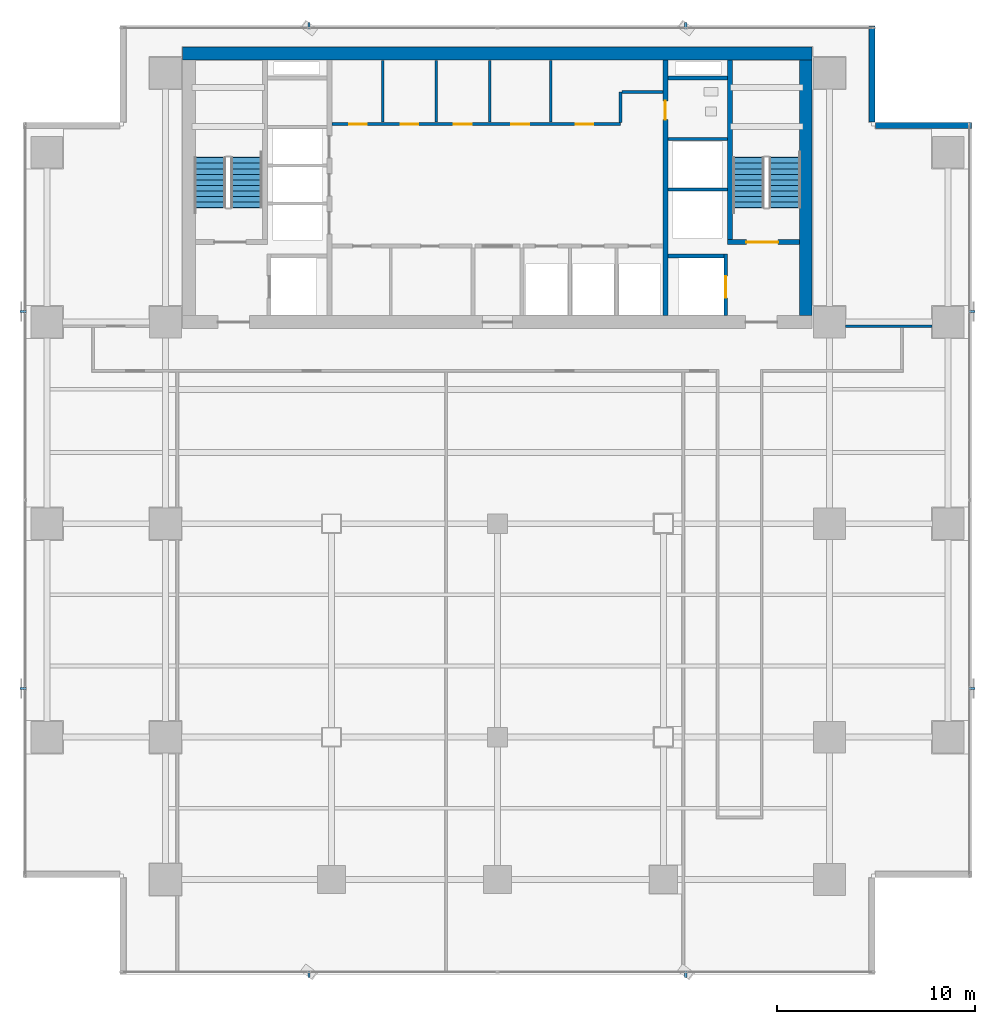
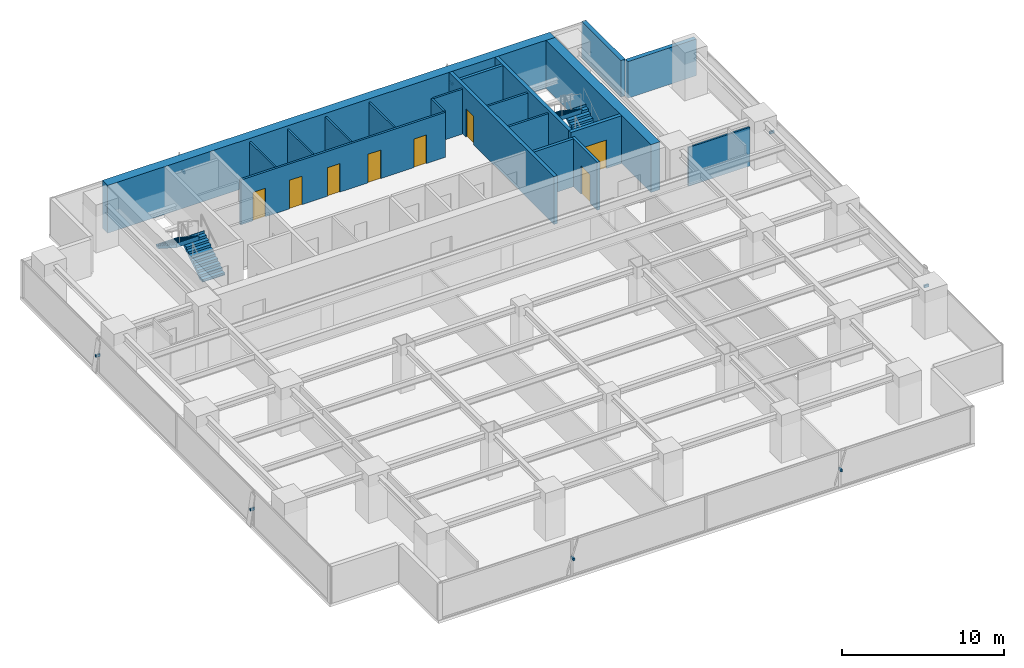
# One storey, part 22 of 27: 20 walls, 8 discrete accessories, 8 doors, 4 stair flights, 8 openings, 2 elements without a shape of their own.
"""IFC4 building model written with IfcOpenShell, lengths in metres."""

from ifc_helpers import new_model, si_unit, direction, frame, frame_2d, origin, origin_2d, place, context, subcontext, project, spatial, polyline, rectangle, outline, extrude, source, transform, mapped, material, layer, layer_set, material_profile, profile_set, type_object, element, fill, aggregate, save


model = new_model("IFC4")

# Units and contexts
model_context = context("Model", 3, precision=1e-05, world=origin(), true_north=direction((0.0, 1.0)))
body_context = subcontext(model_context, "Body", "Model", "MODEL_VIEW")
ifc_project = project(units=[si_unit("LENGTHUNIT", "METRE"), si_unit("AREAUNIT", "SQUARE_METRE"), si_unit("VOLUMEUNIT", "CUBIC_METRE"), si_unit("PLANEANGLEUNIT", "RADIAN"), si_unit("MASSUNIT", "GRAM", prefix="KILO")], contexts=[model_context])

# Site, building, storey
site_placement = place(None, origin())
site = spatial("IfcSite", under=ifc_project, at=site_placement, CompositionType="ELEMENT")
building_placement = place(site_placement, origin())
building = spatial("IfcBuilding", under=site, at=building_placement, Name="Sumidabori Civic Tower", CompositionType="ELEMENT")
storey_placement = place(building_placement, frame((0.0, 0.0, 138.800048828125)))
storey = spatial("IfcBuildingStorey", under=building, at=storey_placement, Name="L35", CompositionType="ELEMENT", Elevation=138.800048828125)

# Walls
ifc_material_1 = material(Name="Concrete C50/60", Category="concrete")
ifc_layer_1 = layer(ifc_material_1, 0.199951171875, Name="Concrete C50/60")
ifc_layer_set_1 = layer_set([ifc_layer_1], Name="Concrete C50/60")
wall_type_1 = type_object("IfcWallType", Name="WL-SHAFT-200", PredefinedType="SHEAR", material=ifc_layer_set_1)
shared_shape_1 = source(origin(), body_context, "Body", "SweptSolid", [
    extrude(rectangle(XDim=2.824951171875, YDim=0.199951171875, at=frame_2d((1.41259765625, 0.0))), origin(), (0.0, 0.0, 1.0), 3.599853515625),
])
wall_1_placement = place(storey_placement, frame((8.625, 13.550048828125, 0.0), z_axis=(0.0, 0.0, 1.0), x_axis=(1.0, 0.0, 0.0)))
element("IfcWall", 1, at=wall_1_placement, inside=storey, type_object=wall_type_1, Name="Core Shear Wall L35 EL2-N", PredefinedType="SHEAR", context=body_context, shape_type="MappedRepresentation", body=[
    mapped(shared_shape_1, transform((0.0, 0.0, 0.0), x_axis=(1.0, 0.0, 0.0), y_axis=(0.0, 1.0, 0.0), z_axis=(0.0, 0.0, 1.0), scale=1.0)),
])
shared_shape_2 = source(origin(), body_context, "Body", "SweptSolid", [
    extrude(rectangle(XDim=3.02001953125, YDim=0.199951171875, at=frame_2d((1.510009765625, 0.0))), origin(), (0.0, 0.0, 1.0), 3.599853515625),
])
wall_2_placement = place(storey_placement, frame((8.625, 22.550048828125, 0.0), z_axis=(0.0, 0.0, 1.0), x_axis=(1.0, 0.0, 0.0)))
element("IfcWall", 2, at=wall_2_placement, inside=storey, type_object=wall_type_1, Name="Core Shear Wall L35 RIS2-S", PredefinedType="SHEAR", context=body_context, shape_type="MappedRepresentation", body=[
    mapped(shared_shape_2, transform((0.0, 0.0, 0.0), x_axis=(1.0, 0.0, 0.0), y_axis=(0.0, 1.0, 0.0), z_axis=(0.0, 0.0, 1.0), scale=1.0)),
])
ifc_material_2 = material(Name="Concrete C60/75", Category="concrete")
ifc_layer_2 = layer(ifc_material_2, 0.64990234375, Name="Concrete C60/75")
ifc_layer_set_2 = layer_set([ifc_layer_2], Name="Concrete C60/75")
wall_type_2 = type_object("IfcWallType", Name="WL-CORE-650", PredefinedType="SHEAR", material=ifc_layer_set_2)
shared_shape_3 = source(origin(), body_context, "Body", "SweptSolid", [
    extrude(rectangle(XDim=31.85009765625, YDim=0.64990234375, at=frame_2d((15.925048828125, 0.0))), origin(), (0.0, 0.0, 1.0), 3.599853515625),
])
wall_3_placement = place(storey_placement, frame((-15.925048828125, 23.800048828125, 0.0), z_axis=(0.0, 0.0, 1.0), x_axis=(1.0, 0.0, 0.0)))
element("IfcWall", 3, at=wall_3_placement, inside=storey, type_object=wall_type_2, Name="Core Shear Wall L35 N", PredefinedType="SHEAR", context=body_context, shape_type="MappedRepresentation", body=[
    mapped(shared_shape_3, transform((0.0, 0.0, 0.0), x_axis=(1.0, 0.0, 0.0), y_axis=(0.0, 1.0, 0.0), z_axis=(0.0, 0.0, 1.0), scale=1.0)),
])
shared_shape_4 = source(origin(), body_context, "Body", "SweptSolid", [
    extrude(rectangle(XDim=12.9501953125, YDim=0.64990234375, at=frame_2d((6.47509765625, 0.0))), origin(), (0.0, 0.0, 1.0), 3.599853515625),
])
wall_4_placement = place(storey_placement, frame((15.60009765625, 10.52490234375, 0.0), z_axis=(0.0, 0.0, 1.0), x_axis=(0.0, 1.0, 0.0)))
element("IfcWall", 4, at=wall_4_placement, inside=storey, type_object=wall_type_2, Name="Core Shear Wall L35 E", PredefinedType="SHEAR", context=body_context, shape_type="MappedRepresentation", body=[
    mapped(shared_shape_4, transform((0.0, 0.0, 0.0), x_axis=(1.0, 0.0, 0.0), y_axis=(0.0, 1.0, 0.0), z_axis=(0.0, 0.0, 1.0), scale=1.0)),
])

# Wall, opening, door
ifc_layer_3 = layer(ifc_material_1, 0.25, Name="Concrete C50/60")
ifc_layer_set_3 = layer_set([ifc_layer_3], Name="Concrete C50/60")
wall_type_3 = type_object("IfcWallType", Name="WL-SHAFT-250", PredefinedType="SHEAR", material=ifc_layer_set_3)
shared_shape_5 = source(origin(), body_context, "Body", "SweptSolid", [
    extrude(rectangle(XDim=12.9501953125, YDim=0.25, at=frame_2d((6.47509765625, 0.0))), origin(), (0.0, 0.0, 1.0), 3.599853515625),
])
wall_5_placement = place(storey_placement, frame((8.5, 10.52490234375, 0.0), z_axis=(0.0, 0.0, 1.0), x_axis=(0.0, 1.0, 0.0)))
wall_5 = element("IfcWall", 5, at=wall_5_placement, inside=storey, type_object=wall_type_3, Name="Core Shear Wall L35 WEB-E", PredefinedType="SHEAR", context=body_context, shape_type="MappedRepresentation", body=[
    mapped(shared_shape_5, transform((0.0, 0.0, 0.0), x_axis=(1.0, 0.0, 0.0), y_axis=(0.0, 1.0, 0.0), z_axis=(0.0, 0.0, 1.0), scale=1.0)),
])
opening_1_placement = place(wall_5_placement, frame((9.925048828125, 0.0, 0.0)))
opening_1 = element("IfcOpeningElement", 6, at=opening_1_placement, cuts=wall_5, Name="Opening DR-2", PredefinedType="OPENING", context=body_context, shape_type="SweptSolid", body=[
    extrude(rectangle(XDim=0.949951171875, YDim=2.14990234375, at=frame_2d((0.47509765625, 1.074951171875))), frame((0.0, 0.136962890625, 0.0), z_axis=(0.0, -1.0, 0.0), x_axis=(1.0, 0.0, 0.0)), (0.0, 0.0, 1.0), 0.27392578125),
])
ifc_material_3 = material(Name="Japanese Hinoki Timber", Category="wood")
door_type_1 = type_object("IfcDoorType", Name="DR-INT-950", OperationType="NOTDEFINED", PredefinedType="DOOR", material=ifc_material_3)
shared_shape_6 = source(origin(), body_context, "Body", "SweptSolid", [
    extrude(rectangle(XDim=0.949951171875, YDim=2.14990234375, at=frame_2d((0.47509765625, 1.074951171875))), frame((0.0, 0.02490234375, 0.0), z_axis=(0.0, -1.0, 0.0), x_axis=(1.0, 0.0, 0.0)), (0.0, 0.0, 1.0), 0.050048828125),
])
door_1_placement = place(opening_1_placement, origin())
door_1 = element("IfcDoor", 7, at=door_1_placement, inside=storey, type_object=door_type_1, Name="Door DR:L35:WC-ACC", OperationType="SINGLE_SWING_RIGHT", OverallHeight=2.14990234375, OverallWidth=0.949951171875, PredefinedType="DOOR", context=body_context, shape_type="MappedRepresentation", body=[
    mapped(shared_shape_6, transform((0.0, 0.0, 0.0), x_axis=(1.0, 0.0, 0.0), y_axis=(0.0, 1.0, 0.0), z_axis=(0.0, 0.0, 1.0), scale=1.0)),
])
fill(opening_1, door_1)

shared_shape_7 = source(origin(), body_context, "Body", "SweptSolid", [
    extrude(rectangle(XDim=3.6298828125, YDim=0.25, at=frame_2d((1.81494140625, 0.0))), origin(), (0.0, 0.0, 1.0), 3.599853515625),
])
wall_6_placement = place(storey_placement, frame((11.64501953125, 14.25, 0.0), z_axis=(0.0, 0.0, 1.0), x_axis=(1.0, 0.0, 0.0)))
wall_6 = element("IfcWall", 8, at=wall_6_placement, inside=storey, type_object=wall_type_3, Name="Core Shear Wall L35 ST2-S", PredefinedType="SHEAR", context=body_context, shape_type="MappedRepresentation", body=[
    mapped(shared_shape_7, transform((0.0, 0.0, 0.0), x_axis=(1.0, 0.0, 0.0), y_axis=(0.0, 1.0, 0.0), z_axis=(0.0, 0.0, 1.0), scale=1.0)),
])
opening_2_placement = place(wall_6_placement, frame((0.949951171875, 0.0, 0.0)))
opening_2 = element("IfcOpeningElement", 9, at=opening_2_placement, cuts=wall_6, Name="Opening DR-FD4", PredefinedType="OPENING", context=body_context, shape_type="SweptSolid", body=[
    extrude(rectangle(XDim=1.60009765625, YDim=2.14990234375, at=frame_2d((0.800048828125, 1.074951171875))), frame((0.0, 0.136962890625, 0.0), z_axis=(0.0, -1.0, 0.0), x_axis=(1.0, 0.0, 0.0)), (0.0, 0.0, 1.0), 0.27392578125),
])
ifc_material_4 = material(Name="Steel SN490", Category="steel")
door_type_2 = type_object("IfcDoorType", Name="DR-FD4", OperationType="DOUBLE_DOOR_SINGLE_SWING", PredefinedType="DOOR", material=ifc_material_4)
shared_shape_8 = source(origin(), body_context, "Body", "SweptSolid", [
    extrude(rectangle(XDim=1.60009765625, YDim=2.14990234375, at=frame_2d((0.800048828125, 1.074951171875))), frame((0.0, 0.02490234375, 0.0), z_axis=(0.0, -1.0, 0.0), x_axis=(1.0, 0.0, 0.0)), (0.0, 0.0, 1.0), 0.050048828125),
])
door_2_placement = place(opening_2_placement, origin())
door_2 = element("IfcDoor", 10, at=door_2_placement, inside=storey, type_object=door_type_2, Name="Door DR:L35:ST2", OperationType="DOUBLE_DOOR_SINGLE_SWING", OverallHeight=2.14990234375, OverallWidth=1.60009765625, PredefinedType="DOOR", context=body_context, shape_type="MappedRepresentation", body=[
    mapped(shared_shape_8, transform((0.0, 0.0, 0.0), x_axis=(1.0, 0.0, 0.0), y_axis=(0.0, 1.0, 0.0), z_axis=(0.0, 0.0, 1.0), scale=1.0)),
])
fill(opening_2, door_2)

# Wall
shared_shape_9 = source(origin(), body_context, "Body", "SweptSolid", [
    extrude(rectangle(XDim=9.10009765625, YDim=0.25, at=frame_2d((4.550048828125, 0.0))), origin(), (0.0, 0.0, 1.0), 3.599853515625),
])
wall_7_placement = place(storey_placement, frame((11.77001953125, 14.375, 0.0), z_axis=(0.0, 0.0, 1.0), x_axis=(0.0, 1.0, 0.0)))
element("IfcWall", 11, at=wall_7_placement, inside=storey, type_object=wall_type_3, Name="Core Shear Wall L35 ST2-W", PredefinedType="SHEAR", context=body_context, shape_type="MappedRepresentation", body=[
    mapped(shared_shape_9, transform((0.0, 0.0, 0.0), x_axis=(1.0, 0.0, 0.0), y_axis=(0.0, 1.0, 0.0), z_axis=(0.0, 0.0, 1.0), scale=1.0)),
])

# Wall, opening, door
shared_shape_10 = source(origin(), body_context, "Body", "SweptSolid", [
    extrude(rectangle(XDim=3.125, YDim=0.199951171875, at=frame_2d((1.5625, 0.0))), origin(), (0.0, 0.0, 1.0), 3.599853515625),
])
wall_8_placement = place(storey_placement, frame((11.550048828125, 10.52490234375, 0.0), z_axis=(0.0, 0.0, 1.0), x_axis=(0.0, 1.0, 0.0)))
wall_8 = element("IfcWall", 12, at=wall_8_placement, inside=storey, type_object=wall_type_1, Name="Core Shear Wall L35 EL2-E", PredefinedType="SHEAR", context=body_context, shape_type="MappedRepresentation", body=[
    mapped(shared_shape_10, transform((0.0, 0.0, 0.0), x_axis=(1.0, 0.0, 0.0), y_axis=(0.0, 1.0, 0.0), z_axis=(0.0, 0.0, 1.0), scale=1.0)),
])
opening_3_placement = place(wall_8_placement, frame((0.89990234375, 0.0, 0.0)))
opening_3 = element("IfcOpeningElement", 13, at=opening_3_placement, cuts=wall_8, Name="Opening LD-2", PredefinedType="OPENING", context=body_context, shape_type="SweptSolid", body=[
    extrude(rectangle(XDim=1.10009765625, YDim=2.14990234375, at=frame_2d((0.550048828125, 1.074951171875))), frame((0.0, 0.11181640625, 0.0), z_axis=(0.0, -1.0, 0.0), x_axis=(1.0, 0.0, 0.0)), (0.0, 0.0, 1.0), 0.223876953125),
])
ifc_material_5 = material(Name="Stainless Steel Hairline Finish", Category="steel")
door_type_3 = type_object("IfcDoorType", Name="DR-LD2", OperationType="DOUBLE_DOOR_SLIDING", PredefinedType="DOOR", material=ifc_material_5)
shared_shape_11 = source(origin(), body_context, "Body", "SweptSolid", [
    extrude(rectangle(XDim=1.10009765625, YDim=2.14990234375, at=frame_2d((0.550048828125, 1.074951171875))), frame((0.0, 0.02490234375, 0.0), z_axis=(0.0, -1.0, 0.0), x_axis=(1.0, 0.0, 0.0)), (0.0, 0.0, 1.0), 0.050048828125),
])
door_3_placement = place(opening_3_placement, origin())
door_3 = element("IfcDoor", 14, at=door_3_placement, inside=storey, type_object=door_type_3, Name="Door DR:L35:LD-EL2", OperationType="DOUBLE_DOOR_SLIDING", OverallHeight=2.14990234375, OverallWidth=1.10009765625, PredefinedType="DOOR", context=body_context, shape_type="MappedRepresentation", body=[
    mapped(shared_shape_11, transform((0.0, 0.0, 0.0), x_axis=(1.0, 0.0, 0.0), y_axis=(0.0, 1.0, 0.0), z_axis=(0.0, 0.0, 1.0), scale=1.0)),
])
fill(opening_3, door_3)

# Walls
ifc_material_6 = material(Name="Precast concrete C40/50", Category="concrete")
ifc_layer_4 = layer(ifc_material_6, 0.300048828125, Name="Precast concrete C40/50")
ifc_layer_set_4 = layer_set([ifc_layer_4], Name="Precast concrete C40/50")
wall_type_4 = type_object("IfcWallType", Name="WL-EXT-POD300", PredefinedType="STANDARD", material=ifc_layer_set_4)
shared_shape_12 = source(origin(), body_context, "Body", "SweptSolid", [
    extrude(rectangle(XDim=4.85986328125, YDim=0.300048828125, at=frame_2d((2.429931640625, 0.0))), origin(), (0.0, 0.0, 1.0), 2.760009765625),
])
for number, where, z_axis, x_axis, name in (
    (15, (23.97998046875, 20.14990234375, 0.0), (0.0, 0.0, 1.0), (-1.0, 0.0, 0.0), "Notched Corner Spandrel Band L35-05"),
    (16, (18.949951171875, 20.320068359375, 0.0), (0.0, 0.0, 1.0), (0.0, 1.0, 0.0), "Notched Corner Spandrel Band L35-06"),
):
    element("IfcWall", number, at=place(storey_placement, frame(where, z_axis=z_axis, x_axis=x_axis)), inside=storey, type_object=wall_type_4, Name=name, PredefinedType="STANDARD", context=body_context, shape_type="MappedRepresentation", body=[
        mapped(shared_shape_12, transform((0.0, 0.0, 0.0), x_axis=(1.0, 0.0, 0.0), y_axis=(0.0, 1.0, 0.0), z_axis=(0.0, 0.0, 1.0), scale=1.0)),
    ])
ifc_material_7 = material(Name="Gypsum Plasterboard Acoustic Partition")
ifc_layer_5 = layer(ifc_material_7, 0.14990234375, Name="Gypsum Plasterboard Acoustic Partition")
ifc_layer_set_5 = layer_set([ifc_layer_5], Name="Gypsum Plasterboard Acoustic Partition")
wall_type_5 = type_object("IfcWallType", Name="WL-PART-150", PredefinedType="PARTITIONING", material=ifc_layer_set_5)
shared_shape_13 = source(origin(), body_context, "Body", "SweptSolid", [
    extrude(rectangle(XDim=3.010009765625, YDim=0.14990234375, at=frame_2d((1.5048828125, 0.0))), origin(), (0.0, 0.0, 1.0), 3.3798828125),
])
for number, where, z_axis, x_axis, name in (
    (17, (8.6298828125, 16.919921875, 0.0), (0.0, 0.0, 1.0), (1.0, 0.0, 0.0), "Interior Partition WL:L35:DIV-OBS1"),
    (18, (8.6298828125, 19.469970703125, 0.0), (0.0, 0.0, 1.0), (1.0, 0.0, 0.0), "Interior Partition WL:L35:DIV-OBS2"),
):
    element("IfcWall", number, at=place(storey_placement, frame(where, z_axis=z_axis, x_axis=x_axis)), inside=storey, type_object=wall_type_5, Name=name, PredefinedType="PARTITIONING", context=body_context, shape_type="MappedRepresentation", body=[
        mapped(shared_shape_13, transform((0.0, 0.0, 0.0), x_axis=(1.0, 0.0, 0.0), y_axis=(0.0, 1.0, 0.0), z_axis=(0.0, 0.0, 1.0), scale=1.0)),
    ])

# Wall, openings, doors
shared_shape_14 = source(origin(), body_context, "Body", "SweptSolid", [
    extrude(rectangle(XDim=14.590087890625, YDim=0.14990234375, at=frame_2d((7.294921875, 0.0))), origin(), (0.0, 0.0, 1.0), 3.3798828125),
])
wall_9_placement = place(storey_placement, frame((-8.3701171875, 20.219970703125, 0.0), z_axis=(0.0, 0.0, 1.0), x_axis=(1.0, 0.0, 0.0)))
wall_9 = element("IfcWall", 19, at=wall_9_placement, inside=storey, type_object=wall_type_5, Name="Interior Partition WL:L35:CBAND-M", PredefinedType="PARTITIONING", context=body_context, shape_type="MappedRepresentation", body=[
    mapped(shared_shape_14, transform((0.0, 0.0, 0.0), x_axis=(1.0, 0.0, 0.0), y_axis=(0.0, 1.0, 0.0), z_axis=(0.0, 0.0, 1.0), scale=1.0)),
])
opening_4_placement = place(wall_9_placement, frame((0.860107421875, 0.0, 0.0)))
opening_4 = element("IfcOpeningElement", 20, at=opening_4_placement, cuts=wall_9, Name="Opening DR-1", PredefinedType="OPENING", context=body_context, shape_type="SweptSolid", body=[
    extrude(rectangle(XDim=0.89990234375, YDim=2.14990234375, at=frame_2d((0.449951171875, 1.074951171875))), frame((0.0, 0.0869140625, 0.0), z_axis=(0.0, -1.0, 0.0), x_axis=(1.0, 0.0, 0.0)), (0.0, 0.0, 1.0), 0.173828125),
])
opening_5_placement = place(wall_9_placement, frame((3.469970703125, 0.0, 0.0)))
opening_5 = element("IfcOpeningElement", 21, at=opening_5_placement, cuts=wall_9, Name="Opening DR-1", PredefinedType="OPENING", context=body_context, shape_type="SweptSolid", body=[
    extrude(rectangle(XDim=0.89990234375, YDim=2.14990234375, at=frame_2d((0.449951171875, 1.074951171875))), frame((0.0, 0.0869140625, 0.0), z_axis=(0.0, -1.0, 0.0), x_axis=(1.0, 0.0, 0.0)), (0.0, 0.0, 1.0), 0.173828125),
])
opening_6_placement = place(wall_9_placement, frame((6.169921875, 0.0, 0.0)))
opening_6 = element("IfcOpeningElement", 22, at=opening_6_placement, cuts=wall_9, Name="Opening DR-1", PredefinedType="OPENING", context=body_context, shape_type="SweptSolid", body=[
    extrude(rectangle(XDim=0.89990234375, YDim=2.14990234375, at=frame_2d((0.449951171875, 1.074951171875))), frame((0.0, 0.0869140625, 0.0), z_axis=(0.0, -1.0, 0.0), x_axis=(1.0, 0.0, 0.0)), (0.0, 0.0, 1.0), 0.173828125),
])
opening_7_placement = place(wall_9_placement, frame((9.070068359375, 0.0, 0.0)))
opening_7 = element("IfcOpeningElement", 23, at=opening_7_placement, cuts=wall_9, Name="Opening DR-1", PredefinedType="OPENING", context=body_context, shape_type="SweptSolid", body=[
    extrude(rectangle(XDim=0.89990234375, YDim=2.14990234375, at=frame_2d((0.449951171875, 1.074951171875))), frame((0.0, 0.0869140625, 0.0), z_axis=(0.0, -1.0, 0.0), x_axis=(1.0, 0.0, 0.0)), (0.0, 0.0, 1.0), 0.173828125),
])
opening_8_placement = place(wall_9_placement, frame((12.320068359375, 0.0, 0.0)))
opening_8 = element("IfcOpeningElement", 24, at=opening_8_placement, cuts=wall_9, Name="Opening DR-1", PredefinedType="OPENING", context=body_context, shape_type="SweptSolid", body=[
    extrude(rectangle(XDim=0.89990234375, YDim=2.14990234375, at=frame_2d((0.449951171875, 1.074951171875))), frame((0.0, 0.0869140625, 0.0), z_axis=(0.0, -1.0, 0.0), x_axis=(1.0, 0.0, 0.0)), (0.0, 0.0, 1.0), 0.173828125),
])
door_type_4 = type_object("IfcDoorType", Name="DR-INT-900", OperationType="NOTDEFINED", PredefinedType="DOOR", material=ifc_material_3)
shared_shape_15 = source(origin(), body_context, "Body", "SweptSolid", [
    extrude(rectangle(XDim=0.89990234375, YDim=2.14990234375, at=frame_2d((0.449951171875, 1.074951171875))), frame((0.0, 0.02490234375, 0.0), z_axis=(0.0, -1.0, 0.0), x_axis=(1.0, 0.0, 0.0)), (0.0, 0.0, 1.0), 0.050048828125),
])
door_4_placement = place(opening_4_placement, origin())
door_4 = element("IfcDoor", 25, at=door_4_placement, inside=storey, type_object=door_type_4, Name="Door DR:L35:CB-1", OperationType="SINGLE_SWING_LEFT", OverallHeight=2.14990234375, OverallWidth=0.89990234375, PredefinedType="DOOR", context=body_context, shape_type="MappedRepresentation", body=[
    mapped(shared_shape_15, transform((0.0, 0.0, 0.0), x_axis=(1.0, 0.0, 0.0), y_axis=(0.0, 1.0, 0.0), z_axis=(0.0, 0.0, 1.0), scale=1.0)),
])
fill(opening_4, door_4)
door_5_placement = place(opening_5_placement, origin())
door_5 = element("IfcDoor", 26, at=door_5_placement, inside=storey, type_object=door_type_4, Name="Door DR:L35:CB-2", OperationType="SINGLE_SWING_RIGHT", OverallHeight=2.14990234375, OverallWidth=0.89990234375, PredefinedType="DOOR", context=body_context, shape_type="MappedRepresentation", body=[
    mapped(shared_shape_15, transform((0.0, 0.0, 0.0), x_axis=(1.0, 0.0, 0.0), y_axis=(0.0, 1.0, 0.0), z_axis=(0.0, 0.0, 1.0), scale=1.0)),
])
fill(opening_5, door_5)
door_6_placement = place(opening_6_placement, origin())
door_6 = element("IfcDoor", 27, at=door_6_placement, inside=storey, type_object=door_type_4, Name="Door DR:L35:CB-3", OperationType="SINGLE_SWING_LEFT", OverallHeight=2.14990234375, OverallWidth=0.89990234375, PredefinedType="DOOR", context=body_context, shape_type="MappedRepresentation", body=[
    mapped(shared_shape_15, transform((0.0, 0.0, 0.0), x_axis=(1.0, 0.0, 0.0), y_axis=(0.0, 1.0, 0.0), z_axis=(0.0, 0.0, 1.0), scale=1.0)),
])
fill(opening_6, door_6)
door_7_placement = place(opening_7_placement, origin())
door_7 = element("IfcDoor", 28, at=door_7_placement, inside=storey, type_object=door_type_4, Name="Door DR:L35:CB-4", OperationType="SINGLE_SWING_RIGHT", OverallHeight=2.14990234375, OverallWidth=0.89990234375, PredefinedType="DOOR", context=body_context, shape_type="MappedRepresentation", body=[
    mapped(shared_shape_15, transform((0.0, 0.0, 0.0), x_axis=(1.0, 0.0, 0.0), y_axis=(0.0, 1.0, 0.0), z_axis=(0.0, 0.0, 1.0), scale=1.0)),
])
fill(opening_7, door_7)
door_8_placement = place(opening_8_placement, origin())
door_8 = element("IfcDoor", 29, at=door_8_placement, inside=storey, type_object=door_type_4, Name="Door DR:L35:CB-5", OperationType="SINGLE_SWING_LEFT", OverallHeight=2.14990234375, OverallWidth=0.89990234375, PredefinedType="DOOR", context=body_context, shape_type="MappedRepresentation", body=[
    mapped(shared_shape_15, transform((0.0, 0.0, 0.0), x_axis=(1.0, 0.0, 0.0), y_axis=(0.0, 1.0, 0.0), z_axis=(0.0, 0.0, 1.0), scale=1.0)),
])
fill(opening_8, door_8)

# Walls
shared_shape_16 = source(origin(), body_context, "Body", "SweptSolid", [
    extrude(rectangle(XDim=1.550048828125, YDim=0.14990234375, at=frame_2d((0.77490234375, 0.0))), origin(), (0.0, 0.0, 1.0), 3.3798828125),
])
wall_10_placement = place(storey_placement, frame((6.219970703125, 20.300048828125, 0.0), z_axis=(0.0, 0.0, 1.0), x_axis=(0.0, 1.0, 0.0)))
element("IfcWall", 30, at=wall_10_placement, inside=storey, type_object=wall_type_5, Name="Interior Partition WL:L35:CBAND-ME1", PredefinedType="PARTITIONING", context=body_context, shape_type="MappedRepresentation", body=[
    mapped(shared_shape_16, transform((0.0, 0.0, 0.0), x_axis=(1.0, 0.0, 0.0), y_axis=(0.0, 1.0, 0.0), z_axis=(0.0, 0.0, 1.0), scale=1.0)),
])
shared_shape_17 = source(origin(), body_context, "Body", "SweptSolid", [
    extrude(rectangle(XDim=2.070068359375, YDim=0.14990234375, at=frame_2d((1.03515625, 0.0))), origin(), (0.0, 0.0, 1.0), 3.3798828125),
])
wall_11_placement = place(storey_placement, frame((6.300048828125, 21.85009765625, 0.0), z_axis=(0.0, 0.0, 1.0), x_axis=(1.0, 0.0, 0.0)))
element("IfcWall", 31, at=wall_11_placement, inside=storey, type_object=wall_type_5, Name="Interior Partition WL:L35:CBAND-ME2", PredefinedType="PARTITIONING", context=body_context, shape_type="MappedRepresentation", body=[
    mapped(shared_shape_17, transform((0.0, 0.0, 0.0), x_axis=(1.0, 0.0, 0.0), y_axis=(0.0, 1.0, 0.0), z_axis=(0.0, 0.0, 1.0), scale=1.0)),
])
ifc_layer_6 = layer(ifc_material_7, 0.1201171875, Name="Gypsum Plasterboard Acoustic Partition")
ifc_layer_set_6 = layer_set([ifc_layer_6], Name="Gypsum Plasterboard Acoustic Partition")
wall_type_6 = type_object("IfcWallType", Name="WL-PART-120", PredefinedType="PARTITIONING", material=ifc_layer_set_6)
shared_shape_18 = source(origin(), body_context, "Body", "SweptSolid", [
    extrude(rectangle(XDim=3.114990234375, YDim=0.1201171875, at=frame_2d((1.5576171875, 0.0))), origin(), (0.0, 0.0, 1.0), 3.3798828125),
])
for number, where, z_axis, x_axis, name in (
    (32, (-5.800048828125, 20.320068359375, 0.0), (0.0, 0.0, 1.0), (0.0, 1.0, 0.0), "Interior Partition WL:L35:LV8-S1"),
    (33, (-3.10009765625, 20.320068359375, 0.0), (0.0, 0.0, 1.0), (0.0, 1.0, 0.0), "Interior Partition WL:L35:LV8-S2"),
    (34, (-0.39990234375, 20.320068359375, 0.0), (0.0, 0.0, 1.0), (0.0, 1.0, 0.0), "Interior Partition WL:L35:LV8-S3"),
    (35, (2.699951171875, 20.320068359375, 0.0), (0.0, 0.0, 1.0), (0.0, 1.0, 0.0), "Interior Partition WL:L35:LV8-S4"),
):
    element("IfcWall", number, at=place(storey_placement, frame(where, z_axis=z_axis, x_axis=x_axis)), inside=storey, type_object=wall_type_6, Name=name, PredefinedType="PARTITIONING", context=body_context, shape_type="MappedRepresentation", body=[
        mapped(shared_shape_18, transform((0.0, 0.0, 0.0), x_axis=(1.0, 0.0, 0.0), y_axis=(0.0, 1.0, 0.0), z_axis=(0.0, 0.0, 1.0), scale=1.0)),
    ])
shared_shape_19 = source(origin(), body_context, "Body", "SweptSolid", [
    extrude(rectangle(XDim=4.3798828125, YDim=0.1201171875, at=frame_2d((2.18994140625, 0.0))), origin(), (0.0, 0.0, 1.0), 2.9150390625),
])
wall_12_placement = place(storey_placement, frame((17.610107421875, 10.0, 0.0), z_axis=(0.0, 0.0, 1.0), x_axis=(1.0, 0.0, 0.0)))
element("IfcWall", 36, at=wall_12_placement, inside=storey, type_object=wall_type_6, Name="Interior Partition WL:L35:FLK-NE", PredefinedType="PARTITIONING", context=body_context, shape_type="MappedRepresentation", body=[
    mapped(shared_shape_19, transform((0.0, 0.0, 0.0), x_axis=(1.0, 0.0, 0.0), y_axis=(0.0, 1.0, 0.0), z_axis=(0.0, 0.0, 1.0), scale=1.0)),
])

# Stair, stair flights
ifc_material_8 = material(Name="Concrete C40/50", Category="concrete")
stair_type = type_object("IfcStairType", Name="ST-CORE-1600", PredefinedType="HALF_TURN_STAIR", material=ifc_material_8)
stair_1_placement = place(storey_placement, origin())
stair_1 = element("IfcStair", 37, at=stair_1_placement, inside=storey, type_object=stair_type, Name="L35 ST-1", PredefinedType="HALF_TURN_STAIR")
stair_flight_type = type_object("IfcStairFlightType", Name="SF-CORE-1600", PredefinedType="STRAIGHT", material=ifc_material_8)
shared_shape_20 = source(origin(), body_context, "Body", "SweptSolid", [
    extrude(outline(polyline([(-0.02490234375, 0.0), (-0.02490234375, 0.0400390625), (0.0, 0.0400390625), (0.0, 0.179931640625), (0.280029296875, 0.179931640625), (0.280029296875, 0.360107421875), (0.56005859375, 0.360107421875), (0.56005859375, 0.5400390625), (0.840087890625, 0.5400390625), (0.840087890625, 0.719970703125), (1.1201171875, 0.719970703125), (1.1201171875, 0.89990234375), (1.39990234375, 0.89990234375), (1.39990234375, 1.080078125), (1.679931640625, 1.080078125), (1.679931640625, 1.260009765625), (1.9599609375, 1.260009765625), (1.9599609375, 1.43994140625), (2.239990234375, 1.43994140625), (2.239990234375, 1.6201171875), (2.52001953125, 1.6201171875), (2.52001953125, 1.800048828125), (2.544921875, 1.800048828125), (2.544921875, 1.650146484375), (2.52001953125, 1.44189453125), (0.277099609375, 0.0), (-0.02490234375, 0.0)])), frame((0.0, 0.800048828125, 0.0), z_axis=(0.0, -1.0, 0.0), x_axis=(1.0, 0.0, 0.0)), (0.0, 0.0, 1.0), 1.60009765625),
])
stair_flight_1_placement = place(storey_placement, frame((-12.699951171875, 16.0, 0.0), z_axis=(0.0, 0.0, 1.0), x_axis=(0.0, 1.0, 0.0)))
stair_flight_1 = element("IfcStairFlight", 38, at=stair_flight_1_placement, type_object=stair_flight_type, Name="ST-1 flight 1", NumberOfRisers=10, NumberOfTreads=9, PredefinedType="STRAIGHT", RiserHeight=0.18, TreadLength=0.28, context=body_context, shape_type="MappedRepresentation", body=[
    mapped(shared_shape_20, transform((0.0, 0.0, 0.0), x_axis=(1.0, 0.0, 0.0), y_axis=(0.0, 1.0, 0.0), z_axis=(0.0, 0.0, 1.0), scale=1.0)),
])
stair_flight_2_placement = place(storey_placement, frame((-14.5400390625, 18.52001953125, 1.800048828125), z_axis=(0.0, 0.0, 1.0), x_axis=(0.0, -1.0, 0.0)))
stair_flight_2 = element("IfcStairFlight", 39, at=stair_flight_2_placement, type_object=stair_flight_type, Name="ST-1 flight 2", NumberOfRisers=10, NumberOfTreads=9, PredefinedType="STRAIGHT", RiserHeight=0.18, TreadLength=0.28, context=body_context, shape_type="MappedRepresentation", body=[
    mapped(shared_shape_20, transform((0.0, 0.0, 0.0), x_axis=(1.0, 0.0, 0.0), y_axis=(0.0, 1.0, 0.0), z_axis=(0.0, 0.0, 1.0), scale=1.0)),
])
aggregate(stair_1, [stair_flight_1, stair_flight_2])

stair_2_placement = place(storey_placement, origin())
stair_2 = element("IfcStair", 40, at=stair_2_placement, inside=storey, type_object=stair_type, Name="L35 ST-2", PredefinedType="HALF_TURN_STAIR")
stair_flight_3_placement = place(storey_placement, frame((14.5400390625, 16.0, 0.0), z_axis=(0.0, 0.0, 1.0), x_axis=(0.0, 1.0, 0.0)))
stair_flight_3 = element("IfcStairFlight", 41, at=stair_flight_3_placement, type_object=stair_flight_type, Name="ST-2 flight 1", NumberOfRisers=10, NumberOfTreads=9, PredefinedType="STRAIGHT", RiserHeight=0.18, TreadLength=0.28, context=body_context, shape_type="MappedRepresentation", body=[
    mapped(shared_shape_20, transform((0.0, 0.0, 0.0), x_axis=(1.0, 0.0, 0.0), y_axis=(0.0, 1.0, 0.0), z_axis=(0.0, 0.0, 1.0), scale=1.0)),
])
stair_flight_4_placement = place(storey_placement, frame((12.699951171875, 18.52001953125, 1.800048828125), z_axis=(0.0, 0.0, 1.0), x_axis=(0.0, -1.0, 0.0)))
stair_flight_4 = element("IfcStairFlight", 42, at=stair_flight_4_placement, type_object=stair_flight_type, Name="ST-2 flight 2", NumberOfRisers=10, NumberOfTreads=9, PredefinedType="STRAIGHT", RiserHeight=0.18, TreadLength=0.28, context=body_context, shape_type="MappedRepresentation", body=[
    mapped(shared_shape_20, transform((0.0, 0.0, 0.0), x_axis=(1.0, 0.0, 0.0), y_axis=(0.0, 1.0, 0.0), z_axis=(0.0, 0.0, 1.0), scale=1.0)),
])
aggregate(stair_2, [stair_flight_3, stair_flight_4])

# Discrete accessories
ifc_material_profile = material_profile(ifc_material_5, rectangle(XDim=0.1201171875, YDim=0.179931640625, at=origin_2d()), Name="STEEL BRACKET 180x120")
ifc_profile_set = profile_set([ifc_material_profile], Name="Stainless Steel Hairline Finish")
discrete_accessory_type = type_object("IfcDiscreteAccessoryType", Name="AC-BRK-180", PredefinedType="BRACKET", material=ifc_profile_set)
shared_shape_21 = source(origin(), body_context, "Body", "SweptSolid", [
    extrude(rectangle(XDim=0.1201171875, YDim=0.179931640625, at=origin_2d()), origin(), (0.0, 0.0, 1.0), 0.329833984375),
])
for number, where, z_axis, x_axis, name in (
    (43, (23.830078125, -8.3349609375, 1.369873046875), (1.0, 0.0, 0.0), (0.0, 1.0, 0.0), "Bronze Fin Fixing Bracket L35-01"),
    (44, (23.830078125, 10.735107421875, 1.369873046875), (1.0, 0.0, 0.0), (0.0, 1.0, 0.0), "Bronze Fin Fixing Bracket L35-03"),
    (45, (-23.830078125, 10.735107421875, 1.369873046875), (-1.0, 0.0, 0.0), (0.0, -1.0, 0.0), "Bronze Fin Fixing Bracket L35-01"),
    (46, (-23.830078125, -8.3349609375, 1.369873046875), (-1.0, 0.0, 0.0), (0.0, -1.0, 0.0), "Bronze Fin Fixing Bracket L35-03"),
):
    element("IfcDiscreteAccessory", number, at=place(storey_placement, frame(where, z_axis=z_axis, x_axis=x_axis)), inside=storey, type_object=discrete_accessory_type, Name=name, PredefinedType="BRACKET", context=body_context, shape_type="MappedRepresentation", body=[
        mapped(shared_shape_21, transform((0.0, 0.0, 0.0), x_axis=(1.0, 0.0, 0.0), y_axis=(0.0, 1.0, 0.0), z_axis=(0.0, 0.0, 1.0), scale=1.0)),
    ])
shared_shape_22 = source(origin(), body_context, "Body", "SweptSolid", [
    extrude(rectangle(XDim=0.1201171875, YDim=0.179931640625, at=origin_2d()), origin(), (0.0, 0.0, 1.0), 0.330078125),
])
for number, where, z_axis, x_axis, name in (
    (47, (-9.534912109375, -22.6298828125, 1.369873046875), (0.0, -1.0, 0.0), (1.0, 0.0, 0.0), "Bronze Fin Fixing Bracket L35-01"),
    (48, (9.534912109375, -22.6298828125, 1.369873046875), (0.0, -1.0, 0.0), (1.0, 0.0, 0.0), "Bronze Fin Fixing Bracket L35-03"),
    (49, (9.534912109375, 25.030029296875, 1.369873046875), (0.0, 1.0, 0.0), (-1.0, 0.0, 0.0), "Bronze Fin Fixing Bracket L35-01"),
    (50, (-9.534912109375, 25.030029296875, 1.369873046875), (0.0, 1.0, 0.0), (-1.0, 0.0, 0.0), "Bronze Fin Fixing Bracket L35-03"),
):
    element("IfcDiscreteAccessory", number, at=place(storey_placement, frame(where, z_axis=z_axis, x_axis=x_axis)), inside=storey, type_object=discrete_accessory_type, Name=name, PredefinedType="BRACKET", context=body_context, shape_type="MappedRepresentation", body=[
        mapped(shared_shape_22, transform((0.0, 0.0, 0.0), x_axis=(1.0, 0.0, 0.0), y_axis=(0.0, 1.0, 0.0), z_axis=(0.0, 0.0, 1.0), scale=1.0)),
    ])

save(model, "model.ifc")
